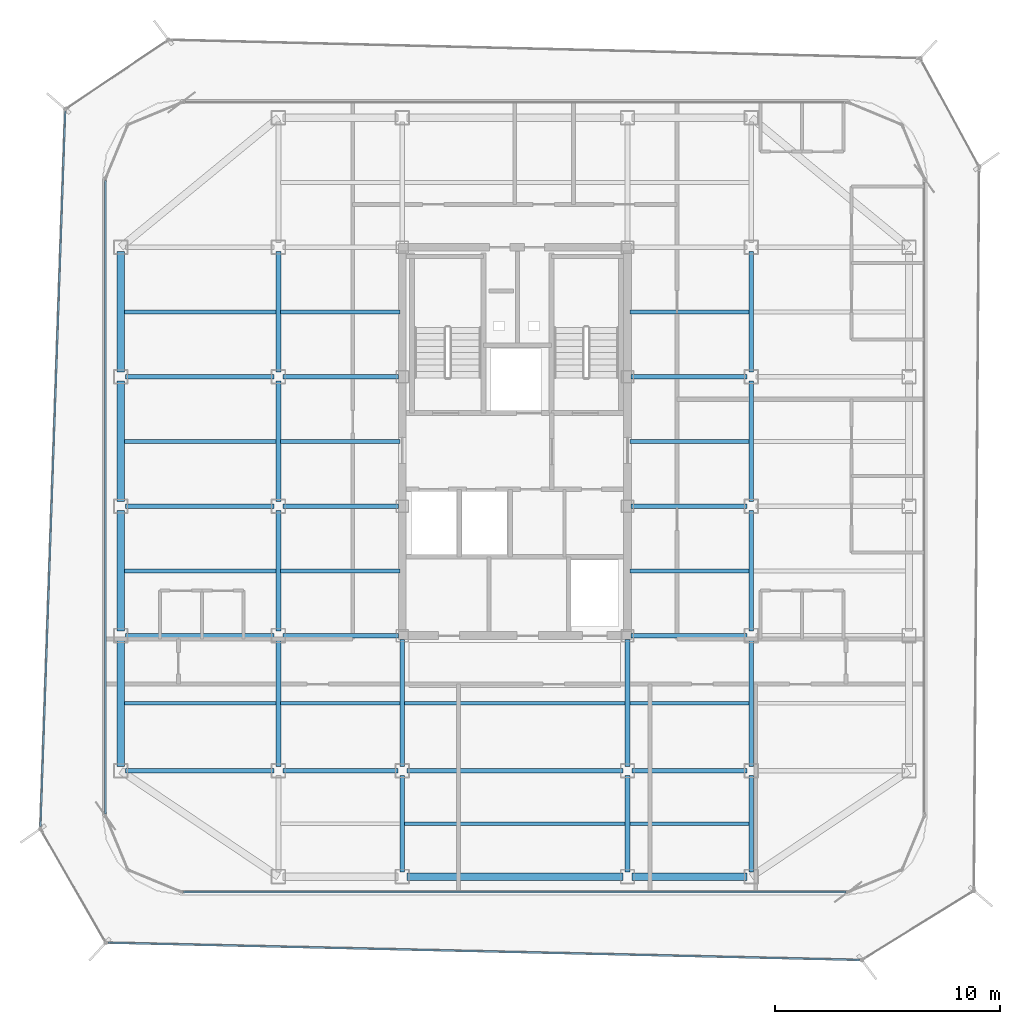
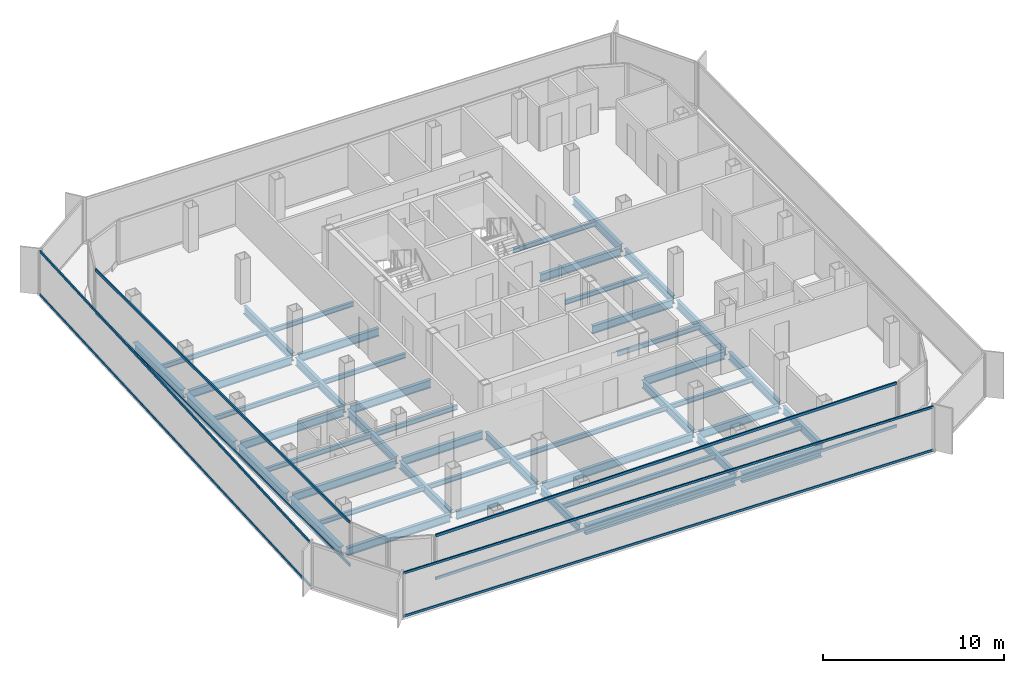
# One storey, part 3 of 15: 47 beams, 8 members, 4 elements without a shape of their own.
"""IFC4 building model written with IfcOpenShell, lengths in metres."""

from ifc_helpers import new_model, si_unit, direction, frame, origin, origin_2d, place, context, subcontext, project, spatial, hollow_rectangle, i_section, extrude, source, transform, mapped, material, layer, layer_set, material_profile, profile_set, type_object, element, aggregate, save


model = new_model("IFC4")

# Units and contexts
model_context = context("Model", 3, precision=1e-05, world=origin(), true_north=direction((0.0, 1.0)))
body_context = subcontext(model_context, "Body", "Model", "MODEL_VIEW")
ifc_project = project(units=[si_unit("LENGTHUNIT", "METRE"), si_unit("AREAUNIT", "SQUARE_METRE"), si_unit("VOLUMEUNIT", "CUBIC_METRE"), si_unit("PLANEANGLEUNIT", "RADIAN"), si_unit("MASSUNIT", "GRAM", prefix="KILO")], contexts=[model_context])

# Site, building, storey
site_placement = place(None, origin())
site = spatial("IfcSite", under=ifc_project, at=site_placement, CompositionType="ELEMENT")
building_placement = place(site_placement, origin())
building = spatial("IfcBuilding", under=site, at=building_placement, Name="Kolveth Station Tower", CompositionType="ELEMENT")
storey_placement = place(building_placement, frame((0.0, 0.0, 264.89990234375)))
storey = spatial("IfcBuildingStorey", under=building, at=storey_placement, Name="L76", CompositionType="ELEMENT", Elevation=264.89990234375)

# Beams
ifc_material_1 = material(Name="Steel S355", Category="steel")
ifc_material_profile_1 = material_profile(ifc_material_1, i_section(OverallWidth=0.323974609375, OverallDepth=0.611083984375, WebThickness=0.0126953125, FlangeThickness=0.01904296875, at=origin_2d()), Name="W610x155")
ifc_profile_set_1 = profile_set([ifc_material_profile_1], Name="Steel S355")
beam_type_1 = type_object("IfcBeamType", Name="Beam_SP2", PredefinedType="SPANDREL", material=ifc_profile_set_1)
shared_shape_1 = source(origin(), body_context, "Body", "SweptSolid", [
    extrude(i_section(OverallWidth=0.323974609375, OverallDepth=0.611083984375, WebThickness=0.0126953125, FlangeThickness=0.01904296875, at=origin_2d()), origin(), (0.0, 0.0, 1.0), 5.10009765625),
])
beam_1_placement = place(storey_placement, frame((28.699951171875, 0.800048828125, -0.525390625), z_axis=(1.0, 0.0, 0.0), x_axis=(0.0, 1.0, 0.0)))
element("IfcBeam", 1, at=beam_1_placement, inside=storey, type_object=beam_type_1, Name="L76 Perimeter Spandrel BM-L76-PS-3", PredefinedType="SPANDREL", context=body_context, shape_type="MappedRepresentation", body=[
    mapped(shared_shape_1, transform((0.0, 0.0, 0.0), x_axis=(1.0, 0.0, 0.0), y_axis=(0.0, 1.0, 0.0), z_axis=(0.0, 0.0, 1.0), scale=1.0)),
])
shared_shape_2 = source(origin(), body_context, "Body", "SweptSolid", [
    extrude(i_section(OverallWidth=0.323974609375, OverallDepth=0.611083984375, WebThickness=0.0126953125, FlangeThickness=0.01904296875, at=origin_2d()), origin(), (0.0, 0.0, 1.0), 9.60009765625),
])
beam_2_placement = place(storey_placement, frame((18.699951171875, 0.800048828125, -0.525390625), z_axis=(1.0, 0.0, 0.0), x_axis=(0.0, 1.0, 0.0)))
element("IfcBeam", 2, at=beam_2_placement, inside=storey, type_object=beam_type_1, Name="L76 Perimeter Spandrel BM-L76-PS-2", PredefinedType="SPANDREL", context=body_context, shape_type="MappedRepresentation", body=[
    mapped(shared_shape_2, transform((0.0, 0.0, 0.0), x_axis=(1.0, 0.0, 0.0), y_axis=(0.0, 1.0, 0.0), z_axis=(0.0, 0.0, 1.0), scale=1.0)),
])
shared_shape_3 = source(origin(), body_context, "Body", "SweptSolid", [
    extrude(i_section(OverallWidth=0.323974609375, OverallDepth=0.611083984375, WebThickness=0.0126953125, FlangeThickness=0.01904296875, at=origin_2d()), origin(), (0.0, 0.0, 1.0), 5.60009765625),
])
beam_3_placement = place(storey_placement, frame((6.0, 5.699951171875, -0.525390625), z_axis=(0.0, 1.0, 0.0), x_axis=(-1.0, 0.0, 0.0)))
element("IfcBeam", 3, at=beam_3_placement, inside=storey, type_object=beam_type_1, Name="L76 Perimeter Spandrel BM-L76-PW-1", PredefinedType="SPANDREL", context=body_context, shape_type="MappedRepresentation", body=[
    mapped(shared_shape_3, transform((0.0, 0.0, 0.0), x_axis=(1.0, 0.0, 0.0), y_axis=(0.0, 1.0, 0.0), z_axis=(0.0, 0.0, 1.0), scale=1.0)),
])
shared_shape_4 = source(origin(), body_context, "Body", "SweptSolid", [
    extrude(i_section(OverallWidth=0.323974609375, OverallDepth=0.611083984375, WebThickness=0.0126953125, FlangeThickness=0.01904296875, at=origin_2d()), origin(), (0.0, 0.0, 1.0), 5.35009765625),
])
for number, where, z_axis, x_axis, name in (
    (4, (6.0, 11.699951171875, -0.525390625), (0.0, 1.0, 0.0), (-1.0, 0.0, 0.0), "L76 Perimeter Spandrel BM-L76-PW-2"),
    (5, (6.0, 17.449951171875, -0.525390625), (0.0, 1.0, 0.0), (-1.0, 0.0, 0.0), "L76 Perimeter Spandrel BM-L76-PW-3"),
    (6, (6.0, 23.199951171875, -0.525390625), (0.0, 1.0, 0.0), (-1.0, 0.0, 0.0), "L76 Perimeter Spandrel BM-L76-PW-4"),
):
    element("IfcBeam", number, at=place(storey_placement, frame(where, z_axis=z_axis, x_axis=x_axis)), inside=storey, type_object=beam_type_1, Name=name, PredefinedType="SPANDREL", context=body_context, shape_type="MappedRepresentation", body=[
        mapped(shared_shape_4, transform((0.0, 0.0, 0.0), x_axis=(1.0, 0.0, 0.0), y_axis=(0.0, 1.0, 0.0), z_axis=(0.0, 0.0, 1.0), scale=1.0)),
    ])
ifc_material_profile_2 = material_profile(ifc_material_1, i_section(OverallWidth=0.2099609375, OverallDepth=0.537109375, WebThickness=0.010986328125, FlangeThickness=0.017333984375, at=origin_2d()), Name="W530x101")
ifc_profile_set_2 = profile_set([ifc_material_profile_2], Name="Steel S355")
beam_type_2 = type_object("IfcBeamType", Name="Beam_B6", PredefinedType="BEAM", material=ifc_profile_set_2)
shared_shape_5 = source(origin(), body_context, "Body", "SweptSolid", [
    extrude(i_section(OverallWidth=0.2099609375, OverallDepth=0.537109375, WebThickness=0.010986328125, FlangeThickness=0.017333984375, at=origin_2d()), origin(), (0.0, 0.0, 1.0), 6.60009765625),
])
for number, where, z_axis, x_axis, name in (
    (7, (6.199951171875, 5.5, -0.48828125), (1.0, 0.0, 0.0), (0.0, 1.0, 0.0), "L76 Primary Girder BM-L76-GY55-1"),
    (8, (6.199951171875, 11.5, -0.48828125), (1.0, 0.0, 0.0), (0.0, 1.0, 0.0), "L76 Primary Girder BM-L76-GY115-1"),
    (9, (6.199951171875, 17.25, -0.48828125), (1.0, 0.0, 0.0), (0.0, 1.0, 0.0), "L76 Primary Girder BM-L76-GY172-1"),
    (10, (6.199951171875, 23.0, -0.48828125), (1.0, 0.0, 0.0), (0.0, 1.0, 0.0), "L76 Primary Girder BM-L76-GY230-1"),
):
    element("IfcBeam", number, at=place(storey_placement, frame(where, z_axis=z_axis, x_axis=x_axis)), inside=storey, type_object=beam_type_2, Name=name, PredefinedType="BEAM", context=body_context, shape_type="MappedRepresentation", body=[
        mapped(shared_shape_5, transform((0.0, 0.0, 0.0), x_axis=(1.0, 0.0, 0.0), y_axis=(0.0, 1.0, 0.0), z_axis=(0.0, 0.0, 1.0), scale=1.0)),
    ])
shared_shape_6 = source(origin(), body_context, "Body", "SweptSolid", [
    extrude(i_section(OverallWidth=0.2099609375, OverallDepth=0.537109375, WebThickness=0.010986328125, FlangeThickness=0.017333984375, at=origin_2d()), origin(), (0.0, 0.0, 1.0), 5.10009765625),
])
for number, where, z_axis, x_axis, name in (
    (11, (13.199951171875, 5.5, -0.48828125), (1.0, 0.0, 0.0), (0.0, 1.0, 0.0), "L76 Primary Girder BM-L76-GY55-2"),
    (12, (28.699951171875, 5.5, -0.48828125), (1.0, 0.0, 0.0), (0.0, 1.0, 0.0), "L76 Primary Girder BM-L76-GY55-4"),
):
    element("IfcBeam", number, at=place(storey_placement, frame(where, z_axis=z_axis, x_axis=x_axis)), inside=storey, type_object=beam_type_2, Name=name, PredefinedType="BEAM", context=body_context, shape_type="MappedRepresentation", body=[
        mapped(shared_shape_6, transform((0.0, 0.0, 0.0), x_axis=(1.0, 0.0, 0.0), y_axis=(0.0, 1.0, 0.0), z_axis=(0.0, 0.0, 1.0), scale=1.0)),
    ])
shared_shape_7 = source(origin(), body_context, "Body", "SweptSolid", [
    extrude(i_section(OverallWidth=0.2099609375, OverallDepth=0.537109375, WebThickness=0.010986328125, FlangeThickness=0.017333984375, at=origin_2d()), origin(), (0.0, 0.0, 1.0), 9.60009765625),
])
beam_4_placement = place(storey_placement, frame((18.699951171875, 5.5, -0.48828125), z_axis=(1.0, 0.0, 0.0), x_axis=(0.0, 1.0, 0.0)))
element("IfcBeam", 13, at=beam_4_placement, inside=storey, type_object=beam_type_2, Name="L76 Primary Girder BM-L76-GY55-3", PredefinedType="BEAM", context=body_context, shape_type="MappedRepresentation", body=[
    mapped(shared_shape_7, transform((0.0, 0.0, 0.0), x_axis=(1.0, 0.0, 0.0), y_axis=(0.0, 1.0, 0.0), z_axis=(0.0, 0.0, 1.0), scale=1.0)),
])
shared_shape_8 = source(origin(), body_context, "Body", "SweptSolid", [
    extrude(i_section(OverallWidth=0.2099609375, OverallDepth=0.537109375, WebThickness=0.010986328125, FlangeThickness=0.017333984375, at=origin_2d()), origin(), (0.0, 0.0, 1.0), 5.14013671875),
])
for number, where, z_axis, x_axis, name in (
    (14, (13.199951171875, 11.5, -0.48828125), (1.0, 0.0, 0.0), (0.0, 1.0, 0.0), "L76 Primary Girder BM-L76-GY115-2"),
    (15, (28.659912109375, 11.5, -0.48828125), (1.0, 0.0, 0.0), (0.0, 1.0, 0.0), "L76 Primary Girder BM-L76-GY115-4"),
    (16, (13.199951171875, 17.25, -0.48828125), (1.0, 0.0, 0.0), (0.0, 1.0, 0.0), "L76 Primary Girder BM-L76-GY172-2"),
    (17, (28.659912109375, 17.25, -0.48828125), (1.0, 0.0, 0.0), (0.0, 1.0, 0.0), "L76 Primary Girder BM-L76-GY172-4"),
    (18, (13.199951171875, 23.0, -0.48828125), (1.0, 0.0, 0.0), (0.0, 1.0, 0.0), "L76 Primary Girder BM-L76-GY230-2"),
    (19, (28.659912109375, 23.0, -0.48828125), (1.0, 0.0, 0.0), (0.0, 1.0, 0.0), "L76 Primary Girder BM-L76-GY230-4"),
):
    element("IfcBeam", number, at=place(storey_placement, frame(where, z_axis=z_axis, x_axis=x_axis)), inside=storey, type_object=beam_type_2, Name=name, PredefinedType="BEAM", context=body_context, shape_type="MappedRepresentation", body=[
        mapped(shared_shape_8, transform((0.0, 0.0, 0.0), x_axis=(1.0, 0.0, 0.0), y_axis=(0.0, 1.0, 0.0), z_axis=(0.0, 0.0, 1.0), scale=1.0)),
    ])
shared_shape_9 = source(origin(), body_context, "Body", "SweptSolid", [
    extrude(i_section(OverallWidth=0.2099609375, OverallDepth=0.537109375, WebThickness=0.010986328125, FlangeThickness=0.017333984375, at=origin_2d()), origin(), (0.0, 0.0, 1.0), 4.300048828125),
])
for number, where, z_axis, x_axis, name in (
    (20, (18.5, 1.0, -0.48828125), (0.0, 1.0, 0.0), (-1.0, 0.0, 0.0), "L76 Primary Girder BM-L76-GX185-1"),
    (21, (28.5, 1.0, -0.48828125), (0.0, 1.0, 0.0), (-1.0, 0.0, 0.0), "L76 Primary Girder BM-L76-GX285-1"),
    (22, (34.0, 1.0, -0.48828125), (0.0, 1.0, 0.0), (-1.0, 0.0, 0.0), "L76 Primary Girder BM-L76-GX340-1"),
):
    element("IfcBeam", number, at=place(storey_placement, frame(where, z_axis=z_axis, x_axis=x_axis)), inside=storey, type_object=beam_type_2, Name=name, PredefinedType="BEAM", context=body_context, shape_type="MappedRepresentation", body=[
        mapped(shared_shape_9, transform((0.0, 0.0, 0.0), x_axis=(1.0, 0.0, 0.0), y_axis=(0.0, 1.0, 0.0), z_axis=(0.0, 0.0, 1.0), scale=1.0)),
    ])
shared_shape_10 = source(origin(), body_context, "Body", "SweptSolid", [
    extrude(i_section(OverallWidth=0.2099609375, OverallDepth=0.537109375, WebThickness=0.010986328125, FlangeThickness=0.017333984375, at=origin_2d()), origin(), (0.0, 0.0, 1.0), 5.60009765625),
])
for number, where, z_axis, x_axis, name in (
    (23, (13.0, 5.699951171875, -0.48828125), (0.0, 1.0, 0.0), (-1.0, 0.0, 0.0), "L76 Primary Girder BM-L76-GX130-2"),
    (24, (34.0, 5.699951171875, -0.48828125), (0.0, 1.0, 0.0), (-1.0, 0.0, 0.0), "L76 Primary Girder BM-L76-GX340-2"),
):
    element("IfcBeam", number, at=place(storey_placement, frame(where, z_axis=z_axis, x_axis=x_axis)), inside=storey, type_object=beam_type_2, Name=name, PredefinedType="BEAM", context=body_context, shape_type="MappedRepresentation", body=[
        mapped(shared_shape_10, transform((0.0, 0.0, 0.0), x_axis=(1.0, 0.0, 0.0), y_axis=(0.0, 1.0, 0.0), z_axis=(0.0, 0.0, 1.0), scale=1.0)),
    ])
shared_shape_11 = source(origin(), body_context, "Body", "SweptSolid", [
    extrude(i_section(OverallWidth=0.2099609375, OverallDepth=0.537109375, WebThickness=0.010986328125, FlangeThickness=0.017333984375, at=origin_2d()), origin(), (0.0, 0.0, 1.0), 5.35009765625),
])
for number, where, z_axis, x_axis, name in (
    (25, (13.0, 11.699951171875, -0.48828125), (0.0, 1.0, 0.0), (-1.0, 0.0, 0.0), "L76 Primary Girder BM-L76-GX130-3"),
    (26, (13.0, 17.449951171875, -0.48828125), (0.0, 1.0, 0.0), (-1.0, 0.0, 0.0), "L76 Primary Girder BM-L76-GX130-4"),
    (27, (13.0, 23.199951171875, -0.48828125), (0.0, 1.0, 0.0), (-1.0, 0.0, 0.0), "L76 Primary Girder BM-L76-GX130-5"),
    (28, (34.0, 11.699951171875, -0.48828125), (0.0, 1.0, 0.0), (-1.0, 0.0, 0.0), "L76 Primary Girder BM-L76-GX340-3"),
    (29, (34.0, 17.449951171875, -0.48828125), (0.0, 1.0, 0.0), (-1.0, 0.0, 0.0), "L76 Primary Girder BM-L76-GX340-4"),
    (30, (34.0, 23.199951171875, -0.48828125), (0.0, 1.0, 0.0), (-1.0, 0.0, 0.0), "L76 Primary Girder BM-L76-GX340-5"),
):
    element("IfcBeam", number, at=place(storey_placement, frame(where, z_axis=z_axis, x_axis=x_axis)), inside=storey, type_object=beam_type_2, Name=name, PredefinedType="BEAM", context=body_context, shape_type="MappedRepresentation", body=[
        mapped(shared_shape_11, transform((0.0, 0.0, 0.0), x_axis=(1.0, 0.0, 0.0), y_axis=(0.0, 1.0, 0.0), z_axis=(0.0, 0.0, 1.0), scale=1.0)),
    ])
shared_shape_12 = source(origin(), body_context, "Body", "SweptSolid", [
    extrude(i_section(OverallWidth=0.2099609375, OverallDepth=0.537109375, WebThickness=0.010986328125, FlangeThickness=0.017333984375, at=origin_2d()), origin(), (0.0, 0.0, 1.0), 5.64013671875),
])
for number, where, z_axis, x_axis, name in (
    (31, (18.5, 5.699951171875, -0.48828125), (0.0, 1.0, 0.0), (-1.0, 0.0, 0.0), "L76 Primary Girder BM-L76-GX185-2"),
    (32, (28.5, 5.699951171875, -0.48828125), (0.0, 1.0, 0.0), (-1.0, 0.0, 0.0), "L76 Primary Girder BM-L76-GX285-2"),
):
    element("IfcBeam", number, at=place(storey_placement, frame(where, z_axis=z_axis, x_axis=x_axis)), inside=storey, type_object=beam_type_2, Name=name, PredefinedType="BEAM", context=body_context, shape_type="MappedRepresentation", body=[
        mapped(shared_shape_12, transform((0.0, 0.0, 0.0), x_axis=(1.0, 0.0, 0.0), y_axis=(0.0, 1.0, 0.0), z_axis=(0.0, 0.0, 1.0), scale=1.0)),
    ])
ifc_material_profile_3 = material_profile(ifc_material_1, i_section(OverallWidth=0.1650390625, OverallDepth=0.31005859375, WebThickness=0.005859375, FlangeThickness=0.009765625, at=origin_2d()), Name="W310x39")
ifc_profile_set_3 = profile_set([ifc_material_profile_3], Name="Steel S355")
beam_type_3 = type_object("IfcBeamType", Name="Beam_J3", PredefinedType="JOIST", material=ifc_profile_set_3)
shared_shape_13 = source(origin(), body_context, "Body", "SweptSolid", [
    extrude(i_section(OverallWidth=0.1650390625, OverallDepth=0.31005859375, WebThickness=0.005859375, FlangeThickness=0.009765625, at=origin_2d()), origin(), (0.0, 0.0, 1.0), 6.737060546875),
])
for number, where, z_axis, x_axis, name in (
    (33, (6.159912109375, 8.5, -0.375), (1.0, 0.0, 0.0), (0.0, 1.0, 0.0), "L76 Secondary Joist JST-L76-1-2"),
    (34, (6.159912109375, 14.375, -0.375), (1.0, 0.0, 0.0), (0.0, 1.0, 0.0), "L76 Secondary Joist JST-L76-1-3"),
    (35, (6.159912109375, 20.125, -0.375), (1.0, 0.0, 0.0), (0.0, 1.0, 0.0), "L76 Secondary Joist JST-L76-1-4"),
    (36, (6.159912109375, 25.875, -0.375), (1.0, 0.0, 0.0), (0.0, 1.0, 0.0), "L76 Secondary Joist JST-L76-1-5"),
):
    element("IfcBeam", number, at=place(storey_placement, frame(where, z_axis=z_axis, x_axis=x_axis)), inside=storey, type_object=beam_type_3, Name=name, PredefinedType="JOIST", context=body_context, shape_type="MappedRepresentation", body=[
        mapped(shared_shape_13, transform((0.0, 0.0, 0.0), x_axis=(1.0, 0.0, 0.0), y_axis=(0.0, 1.0, 0.0), z_axis=(0.0, 0.0, 1.0), scale=1.0)),
    ])
shared_shape_14 = source(origin(), body_context, "Body", "SweptSolid", [
    extrude(i_section(OverallWidth=0.1650390625, OverallDepth=0.31005859375, WebThickness=0.005859375, FlangeThickness=0.009765625, at=origin_2d()), origin(), (0.0, 0.0, 1.0), 5.2939453125),
])
for number, where, z_axis, x_axis, name in (
    (37, (13.10302734375, 8.5, -0.375), (1.0, 0.0, 0.0), (0.0, 1.0, 0.0), "L76 Secondary Joist JST-L76-2-2"),
    (38, (13.10302734375, 14.375, -0.375), (1.0, 0.0, 0.0), (0.0, 1.0, 0.0), "L76 Secondary Joist JST-L76-2-3"),
    (39, (13.10302734375, 20.125, -0.375), (1.0, 0.0, 0.0), (0.0, 1.0, 0.0), "L76 Secondary Joist JST-L76-2-4"),
    (40, (13.10302734375, 25.875, -0.375), (1.0, 0.0, 0.0), (0.0, 1.0, 0.0), "L76 Secondary Joist JST-L76-2-5"),
    (41, (28.60302734375, 3.14990234375, -0.375), (1.0, 0.0, 0.0), (0.0, 1.0, 0.0), "L76 Secondary Joist JST-L76-4-1"),
    (42, (28.60302734375, 8.5, -0.375), (1.0, 0.0, 0.0), (0.0, 1.0, 0.0), "L76 Secondary Joist JST-L76-4-2"),
    (43, (28.60302734375, 14.375, -0.375), (1.0, 0.0, 0.0), (0.0, 1.0, 0.0), "L76 Secondary Joist JST-L76-4-3"),
    (44, (28.60302734375, 20.125, -0.375), (1.0, 0.0, 0.0), (0.0, 1.0, 0.0), "L76 Secondary Joist JST-L76-4-4"),
    (45, (28.60302734375, 25.875, -0.375), (1.0, 0.0, 0.0), (0.0, 1.0, 0.0), "L76 Secondary Joist JST-L76-4-5"),
):
    element("IfcBeam", number, at=place(storey_placement, frame(where, z_axis=z_axis, x_axis=x_axis)), inside=storey, type_object=beam_type_3, Name=name, PredefinedType="JOIST", context=body_context, shape_type="MappedRepresentation", body=[
        mapped(shared_shape_14, transform((0.0, 0.0, 0.0), x_axis=(1.0, 0.0, 0.0), y_axis=(0.0, 1.0, 0.0), z_axis=(0.0, 0.0, 1.0), scale=1.0)),
    ])
shared_shape_15 = source(origin(), body_context, "Body", "SweptSolid", [
    extrude(i_section(OverallWidth=0.1650390625, OverallDepth=0.31005859375, WebThickness=0.005859375, FlangeThickness=0.009765625, at=origin_2d()), origin(), (0.0, 0.0, 1.0), 9.7939453125),
])
for number, where, z_axis, x_axis, name in (
    (46, (18.60302734375, 3.14990234375, -0.375), (1.0, 0.0, 0.0), (0.0, 1.0, 0.0), "L76 Secondary Joist JST-L76-3-1"),
    (47, (18.60302734375, 8.5, -0.375), (1.0, 0.0, 0.0), (0.0, 1.0, 0.0), "L76 Secondary Joist JST-L76-3-2"),
):
    element("IfcBeam", number, at=place(storey_placement, frame(where, z_axis=z_axis, x_axis=x_axis)), inside=storey, type_object=beam_type_3, Name=name, PredefinedType="JOIST", context=body_context, shape_type="MappedRepresentation", body=[
        mapped(shared_shape_15, transform((0.0, 0.0, 0.0), x_axis=(1.0, 0.0, 0.0), y_axis=(0.0, 1.0, 0.0), z_axis=(0.0, 0.0, 1.0), scale=1.0)),
    ])

# Curtain wall, members
ifc_material_2 = material(Name="Aluminium 6063-T6 and triple low-E dark glass", Category="aluminium")
ifc_layer_1 = layer(ifc_material_2, 0.199951171875)
ifc_layer_set_1 = layer_set([ifc_layer_1], Name="Aluminium 6063-T6 and triple low-E dark glass")
curtain_wall_type_1 = type_object("IfcCurtainWallType", Name="CurtainWall_CW-Z3", PredefinedType="NOTDEFINED", material=ifc_layer_set_1)
curtain_wall_1_placement = place(storey_placement, origin())
curtain_wall_1 = element("IfcCurtainWall", 48, at=curtain_wall_1_placement, inside=storey, type_object=curtain_wall_type_1, Name="L76 Inner Thermal Curtain Wall 9", PredefinedType="NOTDEFINED")
ifc_material_3 = material(Name="Black anodized aluminium 6063-T6", Category="aluminium")
ifc_material_profile_4 = material_profile(ifc_material_3, hollow_rectangle(XDim=0.0849609375, YDim=0.179931640625, WallThickness=0.0048828125, at=origin_2d()), Name="ALU-85x180x5")
ifc_profile_set_4 = profile_set([ifc_material_profile_4], Name="Black anodized aluminium 6063-T6")
member_type_1 = type_object("IfcMemberType", Name="Transom_TR3", PredefinedType="USERDEFINED", material=ifc_profile_set_4)
shared_shape_16 = source(origin(), body_context, "Body", "SweptSolid", [
    extrude(hollow_rectangle(XDim=0.0849609375, YDim=0.179931640625, WallThickness=0.0048828125, at=origin_2d()), origin(), (0.0, 0.0, 1.0), 28.130126953125),
])
member_1_placement = place(storey_placement, frame((5.320068359375, 31.715087890625, 0.04248046875), z_axis=(0.0, -1.0, 0.0), x_axis=(1.0, 0.0, 0.0)))
member_1 = element("IfcMember", 49, at=member_1_placement, type_object=member_type_1, Name="CW-Z3 transom 1.1", ObjectType="TRANSOM", PredefinedType="USERDEFINED", context=body_context, shape_type="MappedRepresentation", body=[
    mapped(shared_shape_16, transform((0.0, 0.0, 0.0), x_axis=(1.0, 0.0, 0.0), y_axis=(0.0, 1.0, 0.0), z_axis=(0.0, 0.0, 1.0), scale=1.0)),
])
member_2_placement = place(storey_placement, frame((5.320068359375, 31.715087890625, 2.9375), z_axis=(0.0, -1.0, 0.0), x_axis=(1.0, 0.0, 0.0)))
member_2 = element("IfcMember", 50, at=member_2_placement, type_object=member_type_1, Name="CW-Z3 transom 1.2", ObjectType="TRANSOM", PredefinedType="USERDEFINED", context=body_context, shape_type="MappedRepresentation", body=[
    mapped(shared_shape_16, transform((0.0, 0.0, 0.0), x_axis=(1.0, 0.0, 0.0), y_axis=(0.0, 1.0, 0.0), z_axis=(0.0, 0.0, 1.0), scale=1.0)),
])
aggregate(curtain_wall_1, [member_1, member_2])

curtain_wall_2_placement = place(storey_placement, origin())
curtain_wall_2 = element("IfcCurtainWall", 51, at=curtain_wall_2_placement, inside=storey, type_object=curtain_wall_type_1, Name="L76 Inner Thermal Curtain Wall 12", PredefinedType="NOTDEFINED")
shared_shape_17 = source(origin(), body_context, "Body", "SweptSolid", [
    extrude(hollow_rectangle(XDim=0.0849609375, YDim=0.179931640625, WallThickness=0.0048828125, at=origin_2d()), origin(), (0.0, 0.0, 1.0), 29.43017578125),
])
member_3_placement = place(storey_placement, frame((8.784912109375, 0.1201171875, 0.04248046875), z_axis=(1.0, 0.0, 0.0), x_axis=(0.0, 1.0, 0.0)))
member_3 = element("IfcMember", 52, at=member_3_placement, type_object=member_type_1, Name="CW-Z3 transom 1.1", ObjectType="TRANSOM", PredefinedType="USERDEFINED", context=body_context, shape_type="MappedRepresentation", body=[
    mapped(shared_shape_17, transform((0.0, 0.0, 0.0), x_axis=(1.0, 0.0, 0.0), y_axis=(0.0, 1.0, 0.0), z_axis=(0.0, 0.0, 1.0), scale=1.0)),
])
member_4_placement = place(storey_placement, frame((8.784912109375, 0.1201171875, 2.9375), z_axis=(1.0, 0.0, 0.0), x_axis=(0.0, 1.0, 0.0)))
member_4 = element("IfcMember", 53, at=member_4_placement, type_object=member_type_1, Name="CW-Z3 transom 1.2", ObjectType="TRANSOM", PredefinedType="USERDEFINED", context=body_context, shape_type="MappedRepresentation", body=[
    mapped(shared_shape_17, transform((0.0, 0.0, 0.0), x_axis=(1.0, 0.0, 0.0), y_axis=(0.0, 1.0, 0.0), z_axis=(0.0, 0.0, 1.0), scale=1.0)),
])
aggregate(curtain_wall_2, [member_3, member_4])

ifc_material_4 = material(Name="Black anodized aluminium 6063-T6 and dark solar glass", Category="aluminium")
ifc_layer_2 = layer(ifc_material_4, 0.159912109375)
ifc_layer_set_2 = layer_set([ifc_layer_2], Name="Black anodized aluminium 6063-T6 and dark solar glass")
curtain_wall_type_2 = type_object("IfcCurtainWallType", Name="OUTER SKIN CW-OS", PredefinedType="NOTDEFINED", material=ifc_layer_set_2)
curtain_wall_3_placement = place(storey_placement, origin())
curtain_wall_3 = element("IfcCurtainWall", 54, at=curtain_wall_3_placement, inside=storey, type_object=curtain_wall_type_2, Name="L76 Outer Ventilated Skin Curtain Wall 6", PredefinedType="NOTDEFINED")
ifc_material_profile_5 = material_profile(ifc_material_3, hollow_rectangle(XDim=0.080078125, YDim=0.14990234375, WallThickness=0.0048828125, at=origin_2d()), Name="ALU-80x150x5")
ifc_profile_set_5 = profile_set([ifc_material_profile_5], Name="Black anodized aluminium 6063-T6")
member_type_2 = type_object("IfcMemberType", Name="Transom_TR-OS", PredefinedType="USERDEFINED", material=ifc_profile_set_5)
shared_shape_18 = source(origin(), body_context, "Body", "SweptSolid", [
    extrude(hollow_rectangle(XDim=0.080078125, YDim=0.14990234375, WallThickness=0.0048828125, at=origin_2d()), origin(), (0.0, 0.0, 1.0), 31.790283203125),
])
member_5_placement = place(storey_placement, frame((3.534912109375, 34.78759765625, 0.0400390625), z_axis=(-0.034566490213, -0.999402400314, 0.0), x_axis=(0.999402400314, -0.034566490213, 0.0)))
member_5 = element("IfcMember", 55, at=member_5_placement, type_object=member_type_2, Name="CW-OS transom 1.1", ObjectType="TRANSOM", PredefinedType="USERDEFINED", context=body_context, shape_type="MappedRepresentation", body=[
    mapped(shared_shape_18, transform((0.0, 0.0, 0.0), x_axis=(1.0, 0.0, 0.0), y_axis=(0.0, 1.0, 0.0), z_axis=(0.0, 0.0, 1.0), scale=1.0)),
])
member_6_placement = place(storey_placement, frame((3.534912109375, 34.78759765625, 2.9501953125), z_axis=(-0.034566490213, -0.999402400314, 0.0), x_axis=(0.999402400314, -0.034566490213, 0.0)))
member_6 = element("IfcMember", 56, at=member_6_placement, type_object=member_type_2, Name="CW-OS transom 1.2", ObjectType="TRANSOM", PredefinedType="USERDEFINED", context=body_context, shape_type="MappedRepresentation", body=[
    mapped(shared_shape_18, transform((0.0, 0.0, 0.0), x_axis=(1.0, 0.0, 0.0), y_axis=(0.0, 1.0, 0.0), z_axis=(0.0, 0.0, 1.0), scale=1.0)),
])
aggregate(curtain_wall_3, [member_5, member_6])

curtain_wall_4_placement = place(storey_placement, origin())
curtain_wall_4 = element("IfcCurtainWall", 57, at=curtain_wall_4_placement, inside=storey, type_object=curtain_wall_type_2, Name="L76 Outer Ventilated Skin Curtain Wall 8", PredefinedType="NOTDEFINED")
shared_shape_19 = source(origin(), body_context, "Body", "SweptSolid", [
    extrude(hollow_rectangle(XDim=0.080078125, YDim=0.14990234375, WallThickness=0.0048828125, at=origin_2d()), origin(), (0.0, 0.0, 1.0), 33.39794921875),
])
member_7_placement = place(storey_placement, frame((5.425537109375, -2.1337890625, 0.0400390625), z_axis=(0.999736364906, -0.022960851129, 0.0), x_axis=(0.022960851129, 0.999736364906, 0.0)))
member_7 = element("IfcMember", 58, at=member_7_placement, type_object=member_type_2, Name="CW-OS transom 1.1", ObjectType="TRANSOM", PredefinedType="USERDEFINED", context=body_context, shape_type="MappedRepresentation", body=[
    mapped(shared_shape_19, transform((0.0, 0.0, 0.0), x_axis=(1.0, 0.0, 0.0), y_axis=(0.0, 1.0, 0.0), z_axis=(0.0, 0.0, 1.0), scale=1.0)),
])
member_8_placement = place(storey_placement, frame((5.425537109375, -2.1337890625, 2.9501953125), z_axis=(0.999736364906, -0.022960851129, 0.0), x_axis=(0.022960851129, 0.999736364906, 0.0)))
member_8 = element("IfcMember", 59, at=member_8_placement, type_object=member_type_2, Name="CW-OS transom 1.2", ObjectType="TRANSOM", PredefinedType="USERDEFINED", context=body_context, shape_type="MappedRepresentation", body=[
    mapped(shared_shape_19, transform((0.0, 0.0, 0.0), x_axis=(1.0, 0.0, 0.0), y_axis=(0.0, 1.0, 0.0), z_axis=(0.0, 0.0, 1.0), scale=1.0)),
])
aggregate(curtain_wall_4, [member_7, member_8])

save(model, "model.ifc")
